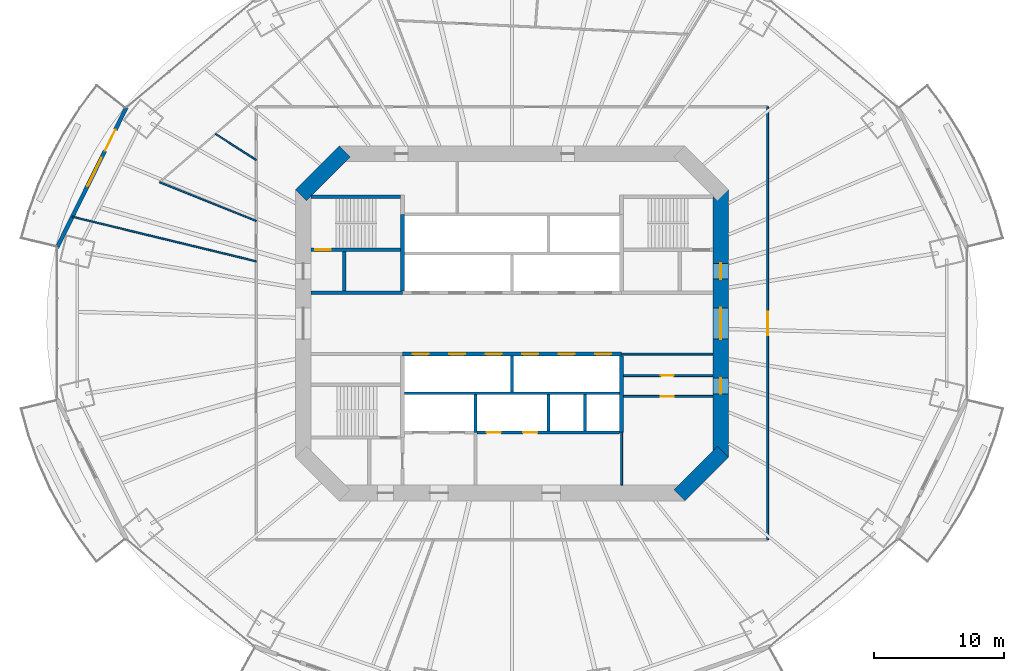
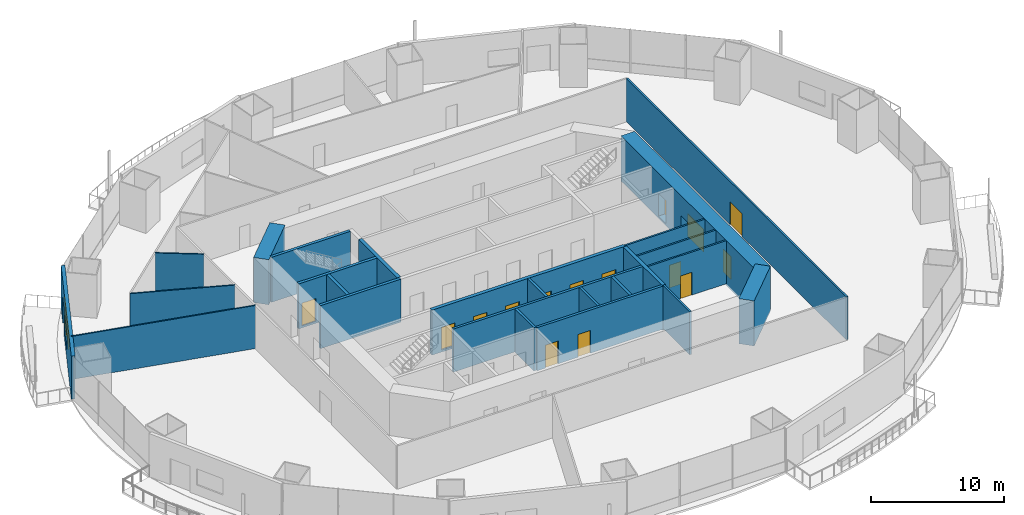
# One storey, part 14 of 22: 25 walls, 16 doors, 1 window, 17 openings.
"""IFC4 building model written with IfcOpenShell, lengths in metres."""

from ifc_helpers import new_model, si_unit, direction, frame, frame_2d, origin, place, context, subcontext, project, spatial, rectangle, extrude, material, layer, layer_set, type_object, element, fill, save


model = new_model("IFC4")

# Units and contexts
model_context = context("Model", 3, precision=1e-05, world=origin(), true_north=direction((0.0, 1.0)))
body_context = subcontext(model_context, "Body", "Model", "MODEL_VIEW")
ifc_project = project(units=[si_unit("LENGTHUNIT", "METRE"), si_unit("AREAUNIT", "SQUARE_METRE"), si_unit("VOLUMEUNIT", "CUBIC_METRE"), si_unit("PLANEANGLEUNIT", "RADIAN"), si_unit("MASSUNIT", "GRAM", prefix="KILO")], contexts=[model_context])

# Site, building, storey
site_placement = place(None, origin())
site = spatial("IfcSite", under=ifc_project, at=site_placement, CompositionType="ELEMENT")
building_placement = place(site_placement, origin())
building = spatial("IfcBuilding", under=site, at=building_placement, Name="Marenthal Gate Tower", CompositionType="ELEMENT")
storey_placement = place(building_placement, frame((0.0, 0.0, 74.5)))
storey = spatial("IfcBuildingStorey", under=building, at=storey_placement, Name="L14", CompositionType="ELEMENT", Elevation=74.5)

# Wall
ifc_material_1 = material(Name="Concrete 60 MPa", Category="concrete")
ifc_layer_1 = layer(ifc_material_1, 1.199951171875)
ifc_layer_set_1 = layer_set([ifc_layer_1], Name="Core shear wall 1200")
wall_type_1 = type_object("IfcWallType", Name="Core shear wall 1200", PredefinedType="SHEAR", material=ifc_layer_set_1)
wall_1_placement = place(storey_placement, frame((12.82421875, -13.17578125, -0.179931640625), z_axis=(0.0, 0.0, 1.0), x_axis=(0.707106781187, 0.707106781187, 0.0)))
element("IfcWall", 1, at=wall_1_placement, inside=storey, type_object=wall_type_1, Name="Core wall 01", PredefinedType="SHEAR", context=body_context, shape_type="SweptSolid", body=[
    extrude(rectangle(XDim=4.73974609375, YDim=1.199951171875, at=frame_2d((2.369873046875, 0.0))), origin(), (0.0, 0.0, 1.0), 4.14990234375),
])

# Wall, openings, doors
wall_2_placement = place(storey_placement, frame((16.0, -10.24853515625, -0.179931640625), z_axis=(0.0, 0.0, 1.0), x_axis=(0.0, 1.0, 0.0)))
wall_2 = element("IfcWall", 2, at=wall_2_placement, inside=storey, type_object=wall_type_1, Name="Core wall 02", PredefinedType="SHEAR", context=body_context, shape_type="SweptSolid", body=[
    extrude(rectangle(XDim=20.4970703125, YDim=1.199951171875, at=frame_2d((10.24853515625, 0.0))), origin(), (0.0, 0.0, 1.0), 4.14990234375),
])
opening_1_placement = place(wall_2_placement, frame((9.048583984375, 0.0, 0.179931640625)))
opening_1 = element("IfcOpeningElement", 3, at=opening_1_placement, cuts=wall_2, Name="Opening D003.02", PredefinedType="OPENING", context=body_context, shape_type="SweptSolid", body=[
    extrude(rectangle(XDim=2.39990234375, YDim=2.10009765625, at=frame_2d((1.199951171875, 1.050048828125))), frame((0.0, 0.60986328125, 0.0), z_axis=(0.0, -1.0, 0.0), x_axis=(1.0, 0.0, 0.0)), (0.0, 0.0, 1.0), 1.219970703125),
])
opening_2_placement = place(wall_2_placement, frame((13.6484375, 0.0, 0.179931640625)))
opening_2 = element("IfcOpeningElement", 4, at=opening_2_placement, cuts=wall_2, Name="Opening D001.05", PredefinedType="OPENING", context=body_context, shape_type="SweptSolid", body=[
    extrude(rectangle(XDim=1.199951171875, YDim=2.10009765625, at=frame_2d((0.60009765625, 1.050048828125))), frame((0.0, 0.60986328125, 0.0), z_axis=(0.0, -1.0, 0.0), x_axis=(1.0, 0.0, 0.0)), (0.0, 0.0, 1.0), 1.219970703125),
])
opening_3_placement = place(wall_2_placement, frame((4.848388671875, 0.0, 0.179931640625)))
opening_3 = element("IfcOpeningElement", 5, at=opening_3_placement, cuts=wall_2, Name="Opening D006.01", PredefinedType="OPENING", context=body_context, shape_type="SweptSolid", body=[
    extrude(rectangle(XDim=1.199951171875, YDim=2.10009765625, at=frame_2d((0.60009765625, 1.050048828125))), frame((0.0, 0.60986328125, 0.0), z_axis=(0.0, -1.0, 0.0), x_axis=(1.0, 0.0, 0.0)), (0.0, 0.0, 1.0), 1.219970703125),
])
ifc_material_2 = material(Name="Steel fire door", Category="steel")
door_type_1 = type_object("IfcDoorType", Name="Double fire door FD 45 2400 x 2100", OperationType="DOUBLE_DOOR_SINGLE_SWING", PredefinedType="DOOR", material=ifc_material_2)
door_1_placement = place(opening_1_placement, origin())
door_1 = element("IfcDoor", 6, at=door_1_placement, inside=storey, type_object=door_type_1, Name="Door D003.02", OperationType="DOUBLE_DOOR_SINGLE_SWING", OverallHeight=2.10009765625, OverallWidth=2.39990234375, PredefinedType="DOOR", context=body_context, shape_type="SweptSolid", body=[
    extrude(rectangle(XDim=2.39990234375, YDim=2.10009765625, at=frame_2d((1.199951171875, 1.050048828125))), frame((0.0, 0.02490234375, 0.0), z_axis=(0.0, -1.0, 0.0), x_axis=(1.0, 0.0, 0.0)), (0.0, 0.0, 1.0), 0.050048828125),
])
fill(opening_1, door_1)
ifc_material_3 = material(Name="Steel fire door", Category="steel")
door_type_2 = type_object("IfcDoorType", Name="Fire door FD 45 1200 x 2100", OperationType="NOTDEFINED", PredefinedType="DOOR", material=ifc_material_3)
door_2_placement = place(opening_3_placement, origin())
door_2 = element("IfcDoor", 7, at=door_2_placement, inside=storey, type_object=door_type_2, Name="Door D006.01", OperationType="SINGLE_SWING_RIGHT", OverallHeight=2.10009765625, OverallWidth=1.199951171875, PredefinedType="DOOR", context=body_context, shape_type="SweptSolid", body=[
    extrude(rectangle(XDim=1.199951171875, YDim=2.10009765625, at=frame_2d((0.60009765625, 1.050048828125))), frame((0.0, 0.02490234375, 0.0), z_axis=(0.0, -1.0, 0.0), x_axis=(1.0, 0.0, 0.0)), (0.0, 0.0, 1.0), 0.050048828125),
])
fill(opening_3, door_2)
ifc_material_4 = material(Name="Steel fire door", Category="steel")
door_type_3 = type_object("IfcDoorType", Name="Fire door FD 90 1200 x 2100", OperationType="NOTDEFINED", PredefinedType="DOOR", material=ifc_material_4)
door_3_placement = place(opening_2_placement, origin())
door_3 = element("IfcDoor", 8, at=door_3_placement, inside=storey, type_object=door_type_3, Name="Door D001.05", OperationType="SINGLE_SWING_RIGHT", OverallHeight=2.10009765625, OverallWidth=1.199951171875, PredefinedType="DOOR", context=body_context, shape_type="SweptSolid", body=[
    extrude(rectangle(XDim=1.199951171875, YDim=2.10009765625, at=frame_2d((0.60009765625, 1.050048828125))), frame((0.0, 0.02490234375, 0.0), z_axis=(0.0, -1.0, 0.0), x_axis=(1.0, 0.0, 0.0)), (0.0, 0.0, 1.0), 0.050048828125),
])
fill(opening_2, door_3)

# Wall
wall_3_placement = place(storey_placement, frame((-12.82421875, 13.17578125, -0.179931640625), z_axis=(0.0, 0.0, 1.0), x_axis=(-0.707106781187, -0.707106781187, 0.0)))
element("IfcWall", 9, at=wall_3_placement, inside=storey, type_object=wall_type_1, Name="Core wall 05", PredefinedType="SHEAR", context=body_context, shape_type="SweptSolid", body=[
    extrude(rectangle(XDim=4.73974609375, YDim=1.199951171875, at=frame_2d((2.369873046875, 0.0))), origin(), (0.0, 0.0, 1.0), 4.14990234375),
])

# Wall, openings, doors
ifc_material_5 = material(Name="Concrete 50 MPa", Category="concrete")
ifc_layer_2 = layer(ifc_material_5, 0.300048828125)
ifc_layer_set_2 = layer_set([ifc_layer_2], Name="Hoistway shear wall 300")
wall_type_2 = type_object("IfcWallType", Name="Hoistway shear wall 300", PredefinedType="SHEAR", material=ifc_layer_set_2)
wall_4_placement = place(storey_placement, frame((-8.39990234375, -2.35009765625, -0.179931640625), z_axis=(0.0, 0.0, 1.0), x_axis=(1.0, 0.0, 0.0)))
wall_4 = element("IfcWall", 10, at=wall_4_placement, inside=storey, type_object=wall_type_2, Name="Hoistway wall 17", PredefinedType="SHEAR", context=body_context, shape_type="SweptSolid", body=[
    extrude(rectangle(XDim=16.7998046875, YDim=0.300048828125, at=frame_2d((8.39990234375, 0.0))), origin(), (0.0, 0.0, 1.0), 4.14990234375),
])
opening_4_placement = place(wall_4_placement, frame((0.800048828125, 0.0, 0.179931640625)))
opening_4 = element("IfcOpeningElement", 11, at=opening_4_placement, cuts=wall_4, Name="Opening LD-LP7", PredefinedType="OPENING", context=body_context, shape_type="SweptSolid", body=[
    extrude(rectangle(XDim=1.199951171875, YDim=2.10009765625, at=frame_2d((0.60009765625, 1.050048828125))), frame((0.0, 0.16015625, 0.0), z_axis=(0.0, -1.0, 0.0), x_axis=(1.0, 0.0, 0.0)), (0.0, 0.0, 1.0), 0.320068359375),
])
opening_5_placement = place(wall_4_placement, frame((3.60009765625, 0.0, 0.179931640625)))
opening_5 = element("IfcOpeningElement", 12, at=opening_5_placement, cuts=wall_4, Name="Opening LD-LP8", PredefinedType="OPENING", context=body_context, shape_type="SweptSolid", body=[
    extrude(rectangle(XDim=1.199951171875, YDim=2.10009765625, at=frame_2d((0.60009765625, 1.050048828125))), frame((0.0, 0.16015625, 0.0), z_axis=(0.0, -1.0, 0.0), x_axis=(1.0, 0.0, 0.0)), (0.0, 0.0, 1.0), 0.320068359375),
])
opening_6_placement = place(wall_4_placement, frame((6.39990234375, 0.0, 0.179931640625)))
opening_6 = element("IfcOpeningElement", 13, at=opening_6_placement, cuts=wall_4, Name="Opening LD-LP9", PredefinedType="OPENING", context=body_context, shape_type="SweptSolid", body=[
    extrude(rectangle(XDim=1.199951171875, YDim=2.10009765625, at=frame_2d((0.60009765625, 1.050048828125))), frame((0.0, 0.16015625, 0.0), z_axis=(0.0, -1.0, 0.0), x_axis=(1.0, 0.0, 0.0)), (0.0, 0.0, 1.0), 0.320068359375),
])
opening_7_placement = place(wall_4_placement, frame((9.199951171875, 0.0, 0.179931640625)))
opening_7 = element("IfcOpeningElement", 14, at=opening_7_placement, cuts=wall_4, Name="Opening LD-LP10", PredefinedType="OPENING", context=body_context, shape_type="SweptSolid", body=[
    extrude(rectangle(XDim=1.199951171875, YDim=2.10009765625, at=frame_2d((0.60009765625, 1.050048828125))), frame((0.0, 0.16015625, 0.0), z_axis=(0.0, -1.0, 0.0), x_axis=(1.0, 0.0, 0.0)), (0.0, 0.0, 1.0), 0.320068359375),
])
opening_8_placement = place(wall_4_placement, frame((12.0, 0.0, 0.179931640625)))
opening_8 = element("IfcOpeningElement", 15, at=opening_8_placement, cuts=wall_4, Name="Opening LD-LP11", PredefinedType="OPENING", context=body_context, shape_type="SweptSolid", body=[
    extrude(rectangle(XDim=1.199951171875, YDim=2.10009765625, at=frame_2d((0.60009765625, 1.050048828125))), frame((0.0, 0.16015625, 0.0), z_axis=(0.0, -1.0, 0.0), x_axis=(1.0, 0.0, 0.0)), (0.0, 0.0, 1.0), 0.320068359375),
])
opening_9_placement = place(wall_4_placement, frame((14.800048828125, 0.0, 0.179931640625)))
opening_9 = element("IfcOpeningElement", 16, at=opening_9_placement, cuts=wall_4, Name="Opening LD-LP12", PredefinedType="OPENING", context=body_context, shape_type="SweptSolid", body=[
    extrude(rectangle(XDim=1.199951171875, YDim=2.10009765625, at=frame_2d((0.60009765625, 1.050048828125))), frame((0.0, 0.16015625, 0.0), z_axis=(0.0, -1.0, 0.0), x_axis=(1.0, 0.0, 0.0)), (0.0, 0.0, 1.0), 0.320068359375),
])
ifc_material_6 = material(Name="Stainless steel sliding door", Category="steel")
door_type_4 = type_object("IfcDoorType", Name="Lift landing door FD 90 1200 x 2100", OperationType="DOUBLE_DOOR_SLIDING", PredefinedType="DOOR", material=ifc_material_6)
door_4_placement = place(opening_4_placement, origin())
door_4 = element("IfcDoor", 17, at=door_4_placement, inside=storey, type_object=door_type_4, Name="Lift landing door LP7", OperationType="DOUBLE_DOOR_SLIDING", OverallHeight=2.10009765625, OverallWidth=1.199951171875, PredefinedType="DOOR", context=body_context, shape_type="SweptSolid", body=[
    extrude(rectangle(XDim=1.199951171875, YDim=2.10009765625, at=frame_2d((0.60009765625, 1.050048828125))), frame((0.0, 0.02490234375, 0.0), z_axis=(0.0, -1.0, 0.0), x_axis=(1.0, 0.0, 0.0)), (0.0, 0.0, 1.0), 0.050048828125),
])
fill(opening_4, door_4)
door_5_placement = place(opening_5_placement, origin())
door_5 = element("IfcDoor", 18, at=door_5_placement, inside=storey, type_object=door_type_4, Name="Lift landing door LP8", OperationType="DOUBLE_DOOR_SLIDING", OverallHeight=2.10009765625, OverallWidth=1.199951171875, PredefinedType="DOOR", context=body_context, shape_type="SweptSolid", body=[
    extrude(rectangle(XDim=1.199951171875, YDim=2.10009765625, at=frame_2d((0.60009765625, 1.050048828125))), frame((0.0, 0.02490234375, 0.0), z_axis=(0.0, -1.0, 0.0), x_axis=(1.0, 0.0, 0.0)), (0.0, 0.0, 1.0), 0.050048828125),
])
fill(opening_5, door_5)
door_6_placement = place(opening_6_placement, origin())
door_6 = element("IfcDoor", 19, at=door_6_placement, inside=storey, type_object=door_type_4, Name="Lift landing door LP9", OperationType="DOUBLE_DOOR_SLIDING", OverallHeight=2.10009765625, OverallWidth=1.199951171875, PredefinedType="DOOR", context=body_context, shape_type="SweptSolid", body=[
    extrude(rectangle(XDim=1.199951171875, YDim=2.10009765625, at=frame_2d((0.60009765625, 1.050048828125))), frame((0.0, 0.02490234375, 0.0), z_axis=(0.0, -1.0, 0.0), x_axis=(1.0, 0.0, 0.0)), (0.0, 0.0, 1.0), 0.050048828125),
])
fill(opening_6, door_6)
door_7_placement = place(opening_7_placement, origin())
door_7 = element("IfcDoor", 20, at=door_7_placement, inside=storey, type_object=door_type_4, Name="Lift landing door LP10", OperationType="DOUBLE_DOOR_SLIDING", OverallHeight=2.10009765625, OverallWidth=1.199951171875, PredefinedType="DOOR", context=body_context, shape_type="SweptSolid", body=[
    extrude(rectangle(XDim=1.199951171875, YDim=2.10009765625, at=frame_2d((0.60009765625, 1.050048828125))), frame((0.0, 0.02490234375, 0.0), z_axis=(0.0, -1.0, 0.0), x_axis=(1.0, 0.0, 0.0)), (0.0, 0.0, 1.0), 0.050048828125),
])
fill(opening_7, door_7)
door_8_placement = place(opening_8_placement, origin())
door_8 = element("IfcDoor", 21, at=door_8_placement, inside=storey, type_object=door_type_4, Name="Lift landing door LP11", OperationType="DOUBLE_DOOR_SLIDING", OverallHeight=2.10009765625, OverallWidth=1.199951171875, PredefinedType="DOOR", context=body_context, shape_type="SweptSolid", body=[
    extrude(rectangle(XDim=1.199951171875, YDim=2.10009765625, at=frame_2d((0.60009765625, 1.050048828125))), frame((0.0, 0.02490234375, 0.0), z_axis=(0.0, -1.0, 0.0), x_axis=(1.0, 0.0, 0.0)), (0.0, 0.0, 1.0), 0.050048828125),
])
fill(opening_8, door_8)
door_9_placement = place(opening_9_placement, origin())
door_9 = element("IfcDoor", 22, at=door_9_placement, inside=storey, type_object=door_type_4, Name="Lift landing door LP12", OperationType="DOUBLE_DOOR_SLIDING", OverallHeight=2.10009765625, OverallWidth=1.199951171875, PredefinedType="DOOR", context=body_context, shape_type="SweptSolid", body=[
    extrude(rectangle(XDim=1.199951171875, YDim=2.10009765625, at=frame_2d((0.60009765625, 1.050048828125))), frame((0.0, 0.02490234375, 0.0), z_axis=(0.0, -1.0, 0.0), x_axis=(1.0, 0.0, 0.0)), (0.0, 0.0, 1.0), 0.050048828125),
])
fill(opening_9, door_9)

# Walls
for number, where, z_axis, x_axis, name in (
    (23, (-8.39990234375, 2.5, -0.179931640625), (0.0, 0.0, 1.0), (0.0, 1.0, 0.0), "Hoistway wall 32"),
    (24, (8.39990234375, -8.35009765625, -0.179931640625), (0.0, 0.0, 1.0), (0.0, 1.0, 0.0), "Hoistway wall 43"),
):
    element("IfcWall", number, at=place(storey_placement, frame(where, z_axis=z_axis, x_axis=x_axis)), inside=storey, type_object=wall_type_2, Name=name, PredefinedType="SHEAR", context=body_context, shape_type="SweptSolid", body=[
        extrude(rectangle(XDim=5.85009765625, YDim=0.300048828125, at=frame_2d((2.925048828125, 0.0))), origin(), (0.0, 0.0, 1.0), 4.14990234375),
    ])

# Wall, openings, doors
ifc_material_7 = material(Name="Concrete 40 MPa", Category="concrete")
ifc_layer_3 = layer(ifc_material_7, 0.219970703125)
ifc_layer_set_3 = layer_set([ifc_layer_3], Name="Hoistway wall 220")
wall_type_3 = type_object("IfcWallType", Name="Hoistway wall 220", PredefinedType="STANDARD", material=ifc_layer_set_3)
wall_5_placement = place(storey_placement, frame((-2.68994140625, -8.35009765625, 0.0), z_axis=(0.0, 0.0, 1.0), x_axis=(1.0, 0.0, 0.0)))
wall_5 = element("IfcWall", 25, at=wall_5_placement, inside=storey, type_object=wall_type_3, Name="Hoistway wall 11", PredefinedType="STANDARD", context=body_context, shape_type="SweptSolid", body=[
    extrude(rectangle(XDim=10.93994140625, YDim=0.219970703125, at=frame_2d((5.469970703125, 0.0))), origin(), (0.0, 0.0, 1.0), 3.969970703125),
])
opening_10_placement = place(wall_5_placement, frame((0.739990234375, 0.0, 0.0)))
opening_10 = element("IfcOpeningElement", 26, at=opening_10_placement, cuts=wall_5, Name="Opening LD-SV1", PredefinedType="OPENING", context=body_context, shape_type="SweptSolid", body=[
    extrude(rectangle(XDim=1.10009765625, YDim=2.10009765625, at=frame_2d((0.550048828125, 1.050048828125))), frame((0.0, 0.1201171875, 0.0), z_axis=(0.0, -1.0, 0.0), x_axis=(1.0, 0.0, 0.0)), (0.0, 0.0, 1.0), 0.239990234375),
])
opening_11_placement = place(wall_5_placement, frame((3.5400390625, 0.0, 0.0)))
opening_11 = element("IfcOpeningElement", 27, at=opening_11_placement, cuts=wall_5, Name="Opening LD-SV2", PredefinedType="OPENING", context=body_context, shape_type="SweptSolid", body=[
    extrude(rectangle(XDim=1.10009765625, YDim=2.10009765625, at=frame_2d((0.550048828125, 1.050048828125))), frame((0.0, 0.1201171875, 0.0), z_axis=(0.0, -1.0, 0.0), x_axis=(1.0, 0.0, 0.0)), (0.0, 0.0, 1.0), 0.239990234375),
])
ifc_material_8 = material(Name="Stainless steel sliding door", Category="steel")
door_type_5 = type_object("IfcDoorType", Name="Lift landing door FD 90 1100 x 2100", OperationType="DOUBLE_DOOR_SLIDING", PredefinedType="DOOR", material=ifc_material_8)
door_10_placement = place(opening_10_placement, origin())
door_10 = element("IfcDoor", 28, at=door_10_placement, inside=storey, type_object=door_type_5, Name="Lift landing door SV1", OperationType="DOUBLE_DOOR_SLIDING", OverallHeight=2.10009765625, OverallWidth=1.10009765625, PredefinedType="DOOR", context=body_context, shape_type="SweptSolid", body=[
    extrude(rectangle(XDim=1.10009765625, YDim=2.10009765625, at=frame_2d((0.550048828125, 1.050048828125))), frame((0.0, 0.02490234375, 0.0), z_axis=(0.0, -1.0, 0.0), x_axis=(1.0, 0.0, 0.0)), (0.0, 0.0, 1.0), 0.050048828125),
])
fill(opening_10, door_10)
door_11_placement = place(opening_11_placement, origin())
door_11 = element("IfcDoor", 29, at=door_11_placement, inside=storey, type_object=door_type_5, Name="Lift landing door SV2", OperationType="DOUBLE_DOOR_SLIDING", OverallHeight=2.10009765625, OverallWidth=1.10009765625, PredefinedType="DOOR", context=body_context, shape_type="SweptSolid", body=[
    extrude(rectangle(XDim=1.10009765625, YDim=2.10009765625, at=frame_2d((0.550048828125, 1.050048828125))), frame((0.0, 0.02490234375, 0.0), z_axis=(0.0, -1.0, 0.0), x_axis=(1.0, 0.0, 0.0)), (0.0, 0.0, 1.0), 0.050048828125),
])
fill(opening_11, door_11)

# Walls
wall_6_placement = place(storey_placement, frame((-8.25, -5.35009765625, 0.0), z_axis=(0.0, 0.0, 1.0), x_axis=(1.0, 0.0, 0.0)))
element("IfcWall", 30, at=wall_6_placement, inside=storey, type_object=wall_type_3, Name="Hoistway wall 13", PredefinedType="STANDARD", context=body_context, shape_type="SweptSolid", body=[
    extrude(rectangle(XDim=16.5, YDim=0.219970703125, at=frame_2d((8.25, 0.0))), origin(), (0.0, 0.0, 1.0), 3.969970703125),
])
wall_7_placement = place(storey_placement, frame((-2.800048828125, -8.35009765625, 0.0), z_axis=(0.0, 0.0, 1.0), x_axis=(0.0, 1.0, 0.0)))
element("IfcWall", 31, at=wall_7_placement, inside=storey, type_object=wall_type_3, Name="Hoistway wall 36", PredefinedType="STANDARD", context=body_context, shape_type="SweptSolid", body=[
    extrude(rectangle(XDim=2.89013671875, YDim=0.219970703125, at=frame_2d((1.445068359375, 0.0))), origin(), (0.0, 0.0, 1.0), 3.969970703125),
])
wall_8_placement = place(storey_placement, frame((0.0, -5.239990234375, 0.0), z_axis=(0.0, 0.0, 1.0), x_axis=(0.0, 1.0, 0.0)))
element("IfcWall", 32, at=wall_8_placement, inside=storey, type_object=wall_type_3, Name="Hoistway wall 37", PredefinedType="STANDARD", context=body_context, shape_type="SweptSolid", body=[
    extrude(rectangle(XDim=2.739990234375, YDim=0.219970703125, at=frame_2d((1.3701171875, 0.0))), origin(), (0.0, 0.0, 1.0), 3.969970703125),
])
for number, where, z_axis, x_axis, name in (
    (33, (2.800048828125, -8.239990234375, 0.0), (0.0, 0.0, 1.0), (0.0, 1.0, 0.0), "Hoistway wall 39"),
    (34, (5.60009765625, -8.239990234375, 0.0), (0.0, 0.0, 1.0), (0.0, 1.0, 0.0), "Hoistway wall 41"),
):
    element("IfcWall", number, at=place(storey_placement, frame(where, z_axis=z_axis, x_axis=x_axis)), inside=storey, type_object=wall_type_3, Name=name, PredefinedType="STANDARD", context=body_context, shape_type="SweptSolid", body=[
        extrude(rectangle(XDim=2.780029296875, YDim=0.219970703125, at=frame_2d((1.39013671875, 0.0))), origin(), (0.0, 0.0, 1.0), 3.969970703125),
    ])
ifc_material_9 = material(Name="Gypsum board on steel studs", Category="steel")
ifc_layer_4 = layer(ifc_material_9, 0.1201171875)
ifc_layer_set_4 = layer_set([ifc_layer_4], Name="Partition 120")
wall_type_4 = type_object("IfcWallType", Name="Partition 120", PredefinedType="PARTITIONING", material=ifc_layer_set_4)
wall_9_placement = place(storey_placement, frame((-27.022705078125, 10.81884765625, 0.0), z_axis=(0.0, 0.0, 1.0), x_axis=(0.928362929912, -0.371674952567, 0.0)))
element("IfcWall", 35, at=wall_9_placement, inside=storey, type_object=wall_type_4, Name="Partition wall 47", PredefinedType="PARTITIONING", context=body_context, shape_type="SweptSolid", body=[
    extrude(rectangle(XDim=7.995361328125, YDim=0.1201171875, at=frame_2d((3.99755859375, 0.0))), origin(), (0.0, 0.0, 1.0), 3.969970703125),
])
wall_10_placement = place(storey_placement, frame((-22.728515625, 14.52392578125, 0.0), z_axis=(0.0, 0.0, 1.0), x_axis=(0.842658134486, -0.538448946869, 0.0)))
element("IfcWall", 36, at=wall_10_placement, inside=storey, type_object=wall_type_4, Name="Partition wall 48", PredefinedType="PARTITIONING", context=body_context, shape_type="SweptSolid", body=[
    extrude(rectangle(XDim=3.712646484375, YDim=0.1201171875, at=frame_2d((1.8564453125, 0.0))), origin(), (0.0, 0.0, 1.0), 3.969970703125),
])
wall_11_placement = place(storey_placement, frame((-19.60009765625, 4.755126953125, 0.0), z_axis=(0.0, 0.0, 1.0), x_axis=(-0.971812383282, 0.235755576178, 0.0)))
element("IfcWall", 37, at=wall_11_placement, inside=storey, type_object=wall_type_4, Name="Partition wall 50", PredefinedType="PARTITIONING", context=body_context, shape_type="SweptSolid", body=[
    extrude(rectangle(XDim=14.50927734375, YDim=0.1201171875, at=frame_2d((7.254638671875, 0.0))), origin(), (0.0, 0.0, 1.0), 3.969970703125),
])

# Wall, opening, door
ifc_material_10 = material(Name="Gypsum board on steel studs", Category="steel")
ifc_layer_5 = layer(ifc_material_10, 0.14990234375)
ifc_layer_set_5 = layer_set([ifc_layer_5], Name="Partition 150")
wall_type_5 = type_object("IfcWallType", Name="Partition 150", PredefinedType="PARTITIONING", material=ifc_layer_set_5)
wall_12_placement = place(storey_placement, frame((8.550048828125, -5.60009765625, 0.0), z_axis=(0.0, 0.0, 1.0), x_axis=(1.0, 0.0, 0.0)))
wall_12 = element("IfcWall", 38, at=wall_12_placement, inside=storey, type_object=wall_type_5, Name="Partition wall 12", PredefinedType="PARTITIONING", context=body_context, shape_type="SweptSolid", body=[
    extrude(rectangle(XDim=6.849853515625, YDim=0.14990234375, at=frame_2d((3.4248046875, 0.0))), origin(), (0.0, 0.0, 1.0), 3.969970703125),
])
opening_12_placement = place(wall_12_placement, frame((2.85009765625, 0.0, 0.0)))
opening_12 = element("IfcOpeningElement", 39, at=opening_12_placement, cuts=wall_12, Name="Opening D005.04", PredefinedType="OPENING", context=body_context, shape_type="SweptSolid", body=[
    extrude(rectangle(XDim=1.0, YDim=2.10009765625, at=frame_2d((0.5, 1.050048828125))), frame((0.0, 0.0849609375, 0.0), z_axis=(0.0, -1.0, 0.0), x_axis=(1.0, 0.0, 0.0)), (0.0, 0.0, 1.0), 0.169921875),
])
ifc_material_11 = material(Name="Steel fire door", Category="steel")
door_type_6 = type_object("IfcDoorType", Name="Fire door FD 45 1000 x 2100", OperationType="NOTDEFINED", PredefinedType="DOOR", material=ifc_material_11)
door_12_placement = place(opening_12_placement, frame((1.0, 0.0, 0.0), z_axis=(0.0, 0.0, 1.0), x_axis=(-1.0, 0.0, 0.0)))
door_12 = element("IfcDoor", 40, at=door_12_placement, inside=storey, type_object=door_type_6, Name="Door D005.04", OperationType="SINGLE_SWING_LEFT", OverallHeight=2.10009765625, OverallWidth=1.0, PredefinedType="DOOR", context=body_context, shape_type="SweptSolid", body=[
    extrude(rectangle(XDim=1.0, YDim=2.10009765625, at=frame_2d((0.5, 1.050048828125))), frame((0.0, 0.02490234375, 0.0), z_axis=(0.0, -1.0, 0.0), x_axis=(1.0, 0.0, 0.0)), (0.0, 0.0, 1.0), 0.050048828125),
])
fill(opening_12, door_12)

wall_13_placement = place(storey_placement, frame((8.550048828125, -4.0, 0.0), z_axis=(0.0, 0.0, 1.0), x_axis=(1.0, 0.0, 0.0)))
wall_13 = element("IfcWall", 41, at=wall_13_placement, inside=storey, type_object=wall_type_5, Name="Partition wall 15", PredefinedType="PARTITIONING", context=body_context, shape_type="SweptSolid", body=[
    extrude(rectangle(XDim=6.849853515625, YDim=0.14990234375, at=frame_2d((3.4248046875, 0.0))), origin(), (0.0, 0.0, 1.0), 3.969970703125),
])
opening_13_placement = place(wall_13_placement, frame((2.85009765625, 0.0, 0.0)))
opening_13 = element("IfcOpeningElement", 42, at=opening_13_placement, cuts=wall_13, Name="Opening D005.03", PredefinedType="OPENING", context=body_context, shape_type="SweptSolid", body=[
    extrude(rectangle(XDim=1.0, YDim=2.10009765625, at=frame_2d((0.5, 1.050048828125))), frame((0.0, 0.0849609375, 0.0), z_axis=(0.0, -1.0, 0.0), x_axis=(1.0, 0.0, 0.0)), (0.0, 0.0, 1.0), 0.169921875),
])
door_13_placement = place(opening_13_placement, origin())
door_13 = element("IfcDoor", 43, at=door_13_placement, inside=storey, type_object=door_type_6, Name="Door D005.03", OperationType="SINGLE_SWING_RIGHT", OverallHeight=2.10009765625, OverallWidth=1.0, PredefinedType="DOOR", context=body_context, shape_type="SweptSolid", body=[
    extrude(rectangle(XDim=1.0, YDim=2.10009765625, at=frame_2d((0.5, 1.050048828125))), frame((0.0, 0.02490234375, 0.0), z_axis=(0.0, -1.0, 0.0), x_axis=(1.0, 0.0, 0.0)), (0.0, 0.0, 1.0), 0.050048828125),
])
fill(opening_13, door_13)

# Walls
wall_14_placement = place(storey_placement, frame((8.39990234375, -2.35009765625, 0.0), z_axis=(0.0, 0.0, 1.0), x_axis=(1.0, 0.0, 0.0)))
element("IfcWall", 44, at=wall_14_placement, inside=storey, type_object=wall_type_5, Name="Partition wall 18", PredefinedType="PARTITIONING", context=body_context, shape_type="SweptSolid", body=[
    extrude(rectangle(XDim=7.0, YDim=0.14990234375, at=frame_2d((3.5, 0.0))), origin(), (0.0, 0.0, 1.0), 3.969970703125),
])
wall_15_placement = place(storey_placement, frame((8.39990234375, -12.39990234375, 0.0), z_axis=(0.0, 0.0, 1.0), x_axis=(0.0, 1.0, 0.0)))
element("IfcWall", 45, at=wall_15_placement, inside=storey, type_object=wall_type_5, Name="Partition wall 42", PredefinedType="PARTITIONING", context=body_context, shape_type="SweptSolid", body=[
    extrude(rectangle(XDim=4.0498046875, YDim=0.14990234375, at=frame_2d((2.02490234375, 0.0))), origin(), (0.0, 0.0, 1.0), 3.969970703125),
])

# Wall, opening, door
wall_16_placement = place(storey_placement, frame((19.60009765625, 16.60009765625, 0.0), z_axis=(0.0, 0.0, 1.0), x_axis=(0.0, -1.0, 0.0)))
wall_16 = element("IfcWall", 46, at=wall_16_placement, inside=storey, type_object=wall_type_5, Name="Partition wall 61", PredefinedType="PARTITIONING", context=body_context, shape_type="SweptSolid", body=[
    extrude(rectangle(XDim=33.2001953125, YDim=0.14990234375, at=frame_2d((16.60009765625, 0.0))), origin(), (0.0, 0.0, 1.0), 3.969970703125),
])
opening_14_placement = place(wall_16_placement, frame((15.699951171875, 0.0, 0.0)))
opening_14 = element("IfcOpeningElement", 47, at=opening_14_placement, cuts=wall_16, Name="Opening D014.03", PredefinedType="OPENING", context=body_context, shape_type="SweptSolid", body=[
    extrude(rectangle(XDim=1.800048828125, YDim=2.10009765625, at=frame_2d((0.89990234375, 1.050048828125))), frame((0.0, 0.0849609375, 0.0), z_axis=(0.0, -1.0, 0.0), x_axis=(1.0, 0.0, 0.0)), (0.0, 0.0, 1.0), 0.169921875),
])
ifc_material_12 = material(Name="Timber door", Category="wood")
door_type_7 = type_object("IfcDoorType", Name="Double door 1800 x 2100", OperationType="DOUBLE_DOOR_SINGLE_SWING", PredefinedType="DOOR", material=ifc_material_12)
door_14_placement = place(opening_14_placement, origin())
door_14 = element("IfcDoor", 48, at=door_14_placement, inside=storey, type_object=door_type_7, Name="Door D014.03", OperationType="DOUBLE_DOOR_SINGLE_SWING", OverallHeight=2.10009765625, OverallWidth=1.800048828125, PredefinedType="DOOR", context=body_context, shape_type="SweptSolid", body=[
    extrude(rectangle(XDim=1.800048828125, YDim=2.10009765625, at=frame_2d((0.89990234375, 1.050048828125))), frame((0.0, 0.02490234375, 0.0), z_axis=(0.0, -1.0, 0.0), x_axis=(1.0, 0.0, 0.0)), (0.0, 0.0, 1.0), 0.050048828125),
])
fill(opening_14, door_14)

# Walls
ifc_material_13 = material(Name="Concrete 40 MPa", Category="concrete")
ifc_layer_6 = layer(ifc_material_13, 0.25)
ifc_layer_set_6 = layer_set([ifc_layer_6], Name="Stair enclosure wall 250")
wall_type_6 = type_object("IfcWallType", Name="Stair enclosure wall 250", PredefinedType="STANDARD", material=ifc_layer_set_6)
wall_17_placement = place(storey_placement, frame((-15.39990234375, 2.35009765625, 0.0), z_axis=(0.0, 0.0, 1.0), x_axis=(1.0, 0.0, 0.0)))
element("IfcWall", 49, at=wall_17_placement, inside=storey, type_object=wall_type_6, Name="Stair wall 19", PredefinedType="STANDARD", context=body_context, shape_type="SweptSolid", body=[
    extrude(rectangle(XDim=7.0, YDim=0.25, at=frame_2d((3.5, 0.0))), origin(), (0.0, 0.0, 1.0), 3.969970703125),
])
wall_18_placement = place(storey_placement, frame((-12.85009765625, 2.47509765625, 0.0), z_axis=(0.0, 0.0, 1.0), x_axis=(0.0, 1.0, 0.0)))
element("IfcWall", 50, at=wall_18_placement, inside=storey, type_object=wall_type_6, Name="Stair wall 28", PredefinedType="STANDARD", context=body_context, shape_type="SweptSolid", body=[
    extrude(rectangle(XDim=3.0498046875, YDim=0.25, at=frame_2d((1.52490234375, 0.0))), origin(), (0.0, 0.0, 1.0), 3.969970703125),
])

# Wall, opening, door
ifc_material_14 = material(Name="Concrete 50 MPa", Category="concrete")
ifc_layer_7 = layer(ifc_material_14, 0.25)
ifc_layer_set_7 = layer_set([ifc_layer_7], Name="Stair shear wall 250")
wall_type_7 = type_object("IfcWallType", Name="Stair shear wall 250", PredefinedType="SHEAR", material=ifc_layer_set_7)
wall_19_placement = place(storey_placement, frame((-15.39990234375, 5.64990234375, -0.179931640625), z_axis=(0.0, 0.0, 1.0), x_axis=(1.0, 0.0, 0.0)))
wall_19 = element("IfcWall", 51, at=wall_19_placement, inside=storey, type_object=wall_type_7, Name="Stair wall 23", PredefinedType="SHEAR", context=body_context, shape_type="SweptSolid", body=[
    extrude(rectangle(XDim=6.849853515625, YDim=0.25, at=frame_2d((3.4248046875, 0.0))), origin(), (0.0, 0.0, 1.0), 4.14990234375),
])
opening_15_placement = place(wall_19_placement, frame((0.300048828125, 0.0, 0.179931640625)))
opening_15 = element("IfcOpeningElement", 52, at=opening_15_placement, cuts=wall_19, Name="Opening D001.01", PredefinedType="OPENING", context=body_context, shape_type="SweptSolid", body=[
    extrude(rectangle(XDim=1.199951171875, YDim=2.10009765625, at=frame_2d((0.60009765625, 1.050048828125))), frame((0.0, 0.135009765625, 0.0), z_axis=(0.0, -1.0, 0.0), x_axis=(1.0, 0.0, 0.0)), (0.0, 0.0, 1.0), 0.27001953125),
])
door_15_placement = place(opening_15_placement, origin())
door_15 = element("IfcDoor", 53, at=door_15_placement, inside=storey, type_object=door_type_3, Name="Door D001.01", OperationType="SINGLE_SWING_RIGHT", OverallHeight=2.10009765625, OverallWidth=1.199951171875, PredefinedType="DOOR", context=body_context, shape_type="SweptSolid", body=[
    extrude(rectangle(XDim=1.199951171875, YDim=2.10009765625, at=frame_2d((0.60009765625, 1.050048828125))), frame((0.0, 0.02490234375, 0.0), z_axis=(0.0, -1.0, 0.0), x_axis=(1.0, 0.0, 0.0)), (0.0, 0.0, 1.0), 0.050048828125),
])
fill(opening_15, door_15)

# Wall
wall_20_placement = place(storey_placement, frame((-15.39990234375, 9.699951171875, -0.179931640625), z_axis=(0.0, 0.0, 1.0), x_axis=(1.0, 0.0, 0.0)))
element("IfcWall", 54, at=wall_20_placement, inside=storey, type_object=wall_type_7, Name="Stair wall 26", PredefinedType="SHEAR", context=body_context, shape_type="SweptSolid", body=[
    extrude(rectangle(XDim=6.849853515625, YDim=0.25, at=frame_2d((3.4248046875, 0.0))), origin(), (0.0, 0.0, 1.0), 4.14990234375),
])

# Wall, openings, door, window
ifc_material_15 = material(Name="Terracotta cladding on insulated concrete-block backing", Category="masonry")
ifc_layer_8 = layer(ifc_material_15, 0.300048828125)
ifc_layer_set_8 = layer_set([ifc_layer_8], Name="Terracotta facade wall 300")
wall_type_8 = type_object("IfcWallType", Name="Terracotta facade wall 300", PredefinedType="SOLIDWALL", material=ifc_layer_set_8)
wall_21_placement = place(storey_placement, frame((-29.561279296875, 16.547119140625, 0.0), z_axis=(0.0, 0.0, 1.0), x_axis=(-0.443222110109, -0.896411825619, 0.0)))
wall_21 = element("IfcWall", 55, at=wall_21_placement, inside=storey, type_object=wall_type_8, Name="Terracotta facade wall L14 bay 7", PredefinedType="SOLIDWALL", context=body_context, shape_type="SweptSolid", body=[
    extrude(rectangle(XDim=11.977294921875, YDim=0.300048828125, at=frame_2d((5.98876953125, 0.0))), origin(), (0.0, 0.0, 1.0), 3.969970703125),
])
opening_16_placement = place(wall_21_placement, frame((1.89990234375, 0.0, 0.0)))
opening_16 = element("IfcOpeningElement", 56, at=opening_16_placement, cuts=wall_21, Name="Opening BD-L14-07", PredefinedType="OPENING", context=body_context, shape_type="SweptSolid", body=[
    extrude(rectangle(XDim=1.800048828125, YDim=2.39990234375, at=frame_2d((0.89990234375, 1.199951171875))), frame((0.0, 0.16015625, 0.0), z_axis=(0.0, -1.0, 0.0), x_axis=(1.0, 0.0, 0.0)), (0.0, 0.0, 1.0), 0.320068359375),
])
opening_17_placement = place(wall_21_placement, frame((4.300048828125, 0.0, 0.89990234375)))
opening_17 = element("IfcOpeningElement", 57, at=opening_17_placement, cuts=wall_21, Name="Opening WN1-L14-07", PredefinedType="OPENING", context=body_context, shape_type="SweptSolid", body=[
    extrude(rectangle(XDim=2.39990234375, YDim=1.5, at=frame_2d((1.199951171875, 0.75))), frame((0.0, 0.16015625, 0.0), z_axis=(0.0, -1.0, 0.0), x_axis=(1.0, 0.0, 0.0)), (0.0, 0.0, 1.0), 0.320068359375),
])
ifc_material_16 = material(Name="Aluminium and glass", Category="aluminium")
door_type_8 = type_object("IfcDoorType", Name="Balcony door 1800x2400", OperationType="DOUBLE_DOOR_SINGLE_SWING", PredefinedType="DOOR", material=ifc_material_16)
door_16_placement = place(opening_16_placement, origin())
door_16 = element("IfcDoor", 58, at=door_16_placement, inside=storey, type_object=door_type_8, Name="Balcony door L14 bay 7", OperationType="SINGLE_SWING_LEFT", OverallHeight=2.39990234375, OverallWidth=1.800048828125, PredefinedType="DOOR", context=body_context, shape_type="SweptSolid", body=[
    extrude(rectangle(XDim=1.800048828125, YDim=2.39990234375, at=frame_2d((0.89990234375, 1.199951171875))), frame((0.0, 0.02490234375, 0.0), z_axis=(0.0, -1.0, 0.0), x_axis=(1.0, 0.0, 0.0)), (0.0, 0.0, 1.0), 0.050048828125),
])
fill(opening_16, door_16)
ifc_material_17 = material(Name="Aluminium and glass", Category="aluminium")
window_type = type_object("IfcWindowType", Name="Window 2400x1500", PartitioningType="TRIPLE_PANEL_VERTICAL", PredefinedType="WINDOW", material=ifc_material_17)
window_placement = place(opening_17_placement, origin())
window = element("IfcWindow", 59, at=window_placement, inside=storey, type_object=window_type, Name="Window L14 bay 7", OverallHeight=1.5, OverallWidth=2.39990234375, PartitioningType="SINGLE_PANEL", PredefinedType="WINDOW", context=body_context, shape_type="SweptSolid", body=[
    extrude(rectangle(XDim=2.39990234375, YDim=1.5, at=frame_2d((1.199951171875, 0.75))), frame((0.0, 0.030029296875, 0.0), z_axis=(0.0, -1.0, 0.0), x_axis=(1.0, 0.0, 0.0)), (0.0, 0.0, 1.0), 0.06005859375),
])
fill(opening_17, window)

save(model, "model.ifc")
